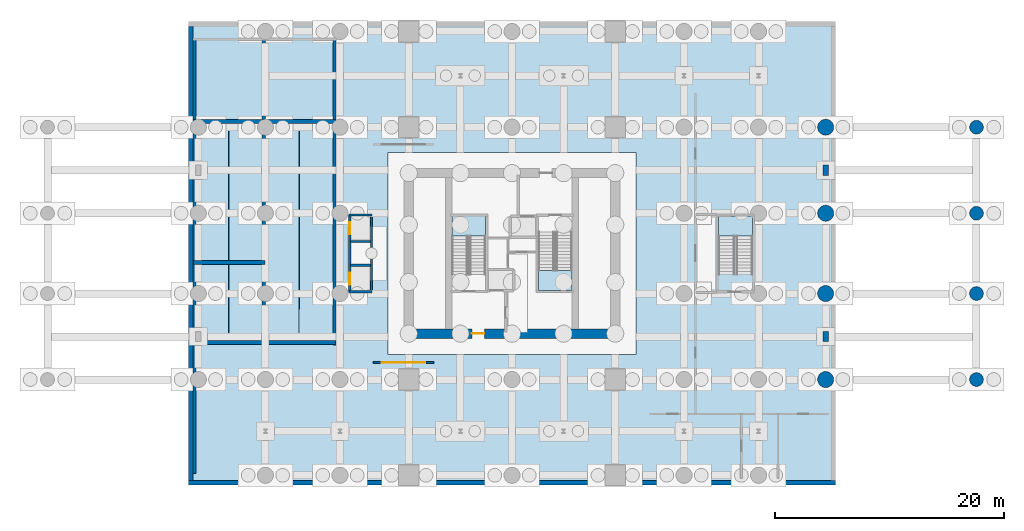
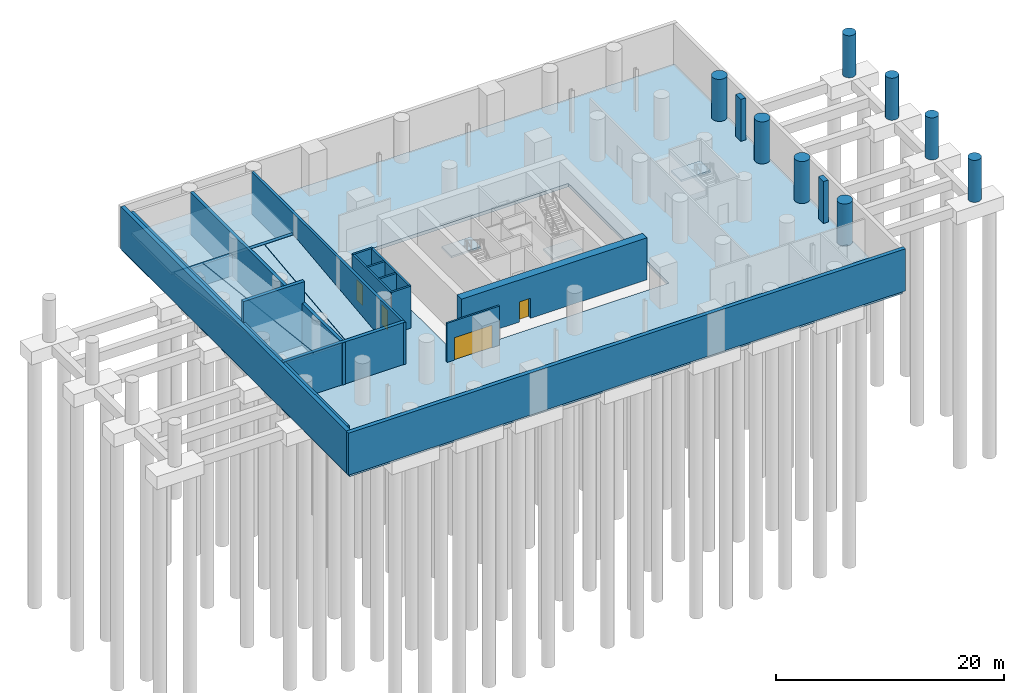
# One storey, part 8 of 12: 16 walls, 10 columns, 9 slabs, 4 doors, 4 openings, 3 elements without a shape of their own.
"""IFC4 building model written with IfcOpenShell, lengths in metres."""

from ifc_helpers import new_model, si_unit, direction, frame, frame_2d, origin, origin_2d, place, context, subcontext, project, spatial, polyline, rectangle, circle, outline, extrude, material, layer, layer_set, material_profile, profile_set, type_object, element, fill, aggregate, save


model = new_model("IFC4")

# Units and contexts
model_context = context("Model", 3, precision=1e-05, world=origin(), true_north=direction((0.0, 1.0)))
body_context = subcontext(model_context, "Body", "Model", "MODEL_VIEW")
ifc_project = project(units=[si_unit("LENGTHUNIT", "METRE"), si_unit("AREAUNIT", "SQUARE_METRE"), si_unit("VOLUMEUNIT", "CUBIC_METRE"), si_unit("PLANEANGLEUNIT", "RADIAN"), si_unit("MASSUNIT", "GRAM", prefix="KILO")], contexts=[model_context])

# Site, building, storey
site_placement = place(None, origin())
site = spatial("IfcSite", under=ifc_project, at=site_placement, CompositionType="ELEMENT")
building_placement = place(site_placement, origin())
building = spatial("IfcBuilding", under=site, at=building_placement, Name="Veldorim Arch Residences", CompositionType="ELEMENT")
storey_placement = place(building_placement, frame((0.0, 0.0, -9.0)))
storey = spatial("IfcBuildingStorey", under=building, at=storey_placement, Name="B2", CompositionType="ELEMENT", Elevation=-9.0)

# Columns
ifc_material_1 = material(Name="Concrete C60/75", Category="concrete")
ifc_material_profile_1 = material_profile(ifc_material_1, circle(Radius=0.60009765625, at=origin_2d()), Name="RC_CIRC_1200")
ifc_profile_set_1 = profile_set([ifc_material_profile_1], Name="Concrete C60/75")
column_type_1 = type_object("IfcColumnType", Name="Structural Column RC_CIRC_1200", PredefinedType="COLUMN", material=ifc_profile_set_1)
for number, where, z_axis, x_axis, name in (
    (1, (72.5, 13.0, 0.0), (0.0, 0.0, 1.0), (1.0, 0.0, 0.0), "B2 porte-cochere canopy column 05"),
    (2, (72.5, 20.5, 0.0), (0.0, 0.0, 1.0), (1.0, 0.0, 0.0), "B2 porte-cochere canopy column 06"),
    (3, (72.5, 27.5, 0.0), (0.0, 0.0, 1.0), (1.0, 0.0, 0.0), "B2 porte-cochere canopy column 07"),
    (4, (72.5, 35.0, 0.0), (0.0, 0.0, 1.0), (1.0, 0.0, 0.0), "B2 porte-cochere canopy column 08"),
):
    element("IfcColumn", number, at=place(storey_placement, frame(where, z_axis=z_axis, x_axis=x_axis)), inside=storey, type_object=column_type_1, Name=name, PredefinedType="COLUMN", context=body_context, shape_type="SweptSolid", body=[
        extrude(circle(Radius=0.60009765625, at=origin_2d()), origin(), (0.0, 0.0, 1.0), 4.5),
    ])
ifc_material_2 = material(Name="Concrete C60/75", Category="concrete")
ifc_material_profile_2 = material_profile(ifc_material_2, circle(Radius=0.699951171875, at=origin_2d()), Name="RC_CIRC_1400")
ifc_profile_set_2 = profile_set([ifc_material_profile_2], Name="Concrete C60/75")
column_type_2 = type_object("IfcColumnType", Name="Structural Column RC_CIRC_1400", PredefinedType="COLUMN", material=ifc_profile_set_2)
for number, where, z_axis, x_axis, name in (
    (5, (59.35009765625, 13.0, 0.0), (0.0, 0.0, 1.0), (1.0, 0.0, 0.0), "B2 podium column (59.35, 13.00)"),
    (6, (59.35009765625, 20.5, 0.0), (0.0, 0.0, 1.0), (1.0, 0.0, 0.0), "B2 podium column (59.35, 20.50)"),
    (7, (59.35009765625, 27.5, 0.0), (0.0, 0.0, 1.0), (1.0, 0.0, 0.0), "B2 podium column (59.35, 27.50)"),
    (8, (59.35009765625, 35.0, 0.0), (0.0, 0.0, 1.0), (1.0, 0.0, 0.0), "B2 podium column (59.35, 35.00)"),
):
    element("IfcColumn", number, at=place(storey_placement, frame(where, z_axis=z_axis, x_axis=x_axis)), inside=storey, type_object=column_type_2, Name=name, PredefinedType="COLUMN", context=body_context, shape_type="SweptSolid", body=[
        extrude(circle(Radius=0.699951171875, at=origin_2d()), origin(), (0.0, 0.0, 1.0), 4.5),
    ])
ifc_material_3 = material(Name="Concrete C60/75", Category="concrete")
ifc_material_profile_3 = material_profile(ifc_material_3, rectangle(XDim=0.5, YDim=0.89990234375, at=origin_2d()), Name="RC_RECT_500x900")
ifc_profile_set_3 = profile_set([ifc_material_profile_3], Name="Concrete C60/75")
column_type_3 = type_object("IfcColumnType", Name="Structural Pilaster RC_RECT_500x900", PredefinedType="PILASTER", material=ifc_profile_set_3)
for number, where, z_axis, x_axis, name in (
    (9, (59.35009765625, 16.75, 0.0), (0.0, 0.0, 1.0), (1.0, 0.0, 0.0), "B2 facade structural pilaster (59.35, 16.75)"),
    (10, (59.35009765625, 31.25, 0.0), (0.0, 0.0, 1.0), (1.0, 0.0, 0.0), "B2 facade structural pilaster (59.35, 31.25)"),
):
    element("IfcColumn", number, at=place(storey_placement, frame(where, z_axis=z_axis, x_axis=x_axis)), inside=storey, type_object=column_type_3, Name=name, PredefinedType="PILASTER", context=body_context, shape_type="SweptSolid", body=[
        extrude(rectangle(XDim=0.5, YDim=0.89990234375, at=origin_2d()), origin(), (0.0, 0.0, 1.0), 4.5),
    ])

# Slab
ifc_material_4 = material(Name="Concrete C50/60", Category="concrete")
ifc_layer_1 = layer(ifc_material_4, 0.35009765625, Name="Basement B2 Base Slab 350")
ifc_layer_set_1 = layer_set([ifc_layer_1], Name="Concrete C50/60")
slab_type_1 = type_object("IfcSlabType", Name="Basement B2 Base Slab 350", PredefinedType="BASESLAB", material=ifc_layer_set_1)
slab_1_placement = place(storey_placement, frame((0.0, 0.0, -0.35009765625)))
element("IfcSlab", 11, at=slab_1_placement, inside=storey, type_object=slab_type_1, Name="B2 basement base slab", PredefinedType="BASESLAB", context=body_context, shape_type="SweptSolid", body=[
    extrude(outline(polyline([(4.0, 4.0), (60.0, 4.0), (60.0, 44.0), (4.0, 44.0), (4.0, 4.0)]), holes=[polyline([(21.199951171875, 15.199951171875), (42.800048828125, 15.199951171875), (42.800048828125, 32.800048828125), (21.199951171875, 32.800048828125), (21.199951171875, 15.199951171875)]), polyline([(10.4599609375, 16.1201171875), (16.43994140625, 16.1201171875), (16.43994140625, 19.10009765625), (10.4599609375, 19.10009765625), (10.4599609375, 16.1201171875)])]), origin(), (0.0, 0.0, 1.0), 0.35009765625),
])

# Stair, slab
ifc_material_5 = material(Name="Concrete C40/50", Category="concrete")
stair_type = type_object("IfcStairType", Name="Reinforced Concrete Dogleg Exit Staircase", PredefinedType="HALF_TURN_STAIR", material=ifc_material_5)
stair_1_placement = place(storey_placement, origin())
stair_1 = element("IfcStair", 12, at=stair_1_placement, inside=storey, type_object=stair_type, Name="B2 Exit Staircase ST-1", PredefinedType="HALF_TURN_STAIR")
ifc_material_6 = material(Name="Concrete C40/50", Category="concrete")
ifc_layer_2 = layer(ifc_material_6, 0.199951171875, Name="Reinforced Concrete Stair Landing 200")
ifc_layer_set_2 = layer_set([ifc_layer_2], Name="Concrete C40/50")
slab_type_2 = type_object("IfcSlabType", Name="Reinforced Concrete Stair Landing 200", PredefinedType="LANDING", material=ifc_layer_set_2)
slab_2_placement = place(storey_placement, frame((0.0, 0.0, 2.050048828125)))
slab_2 = element("IfcSlab", 13, at=slab_2_placement, type_object=slab_type_2, Name="ST-1 landing 1", PredefinedType="LANDING", context=body_context, shape_type="SweptSolid", body=[
    extrude(outline(polyline([(29.7099609375, 25.510009765625), (29.7099609375, 27.25), (26.75, 27.25), (26.75, 25.510009765625), (29.7099609375, 25.510009765625)])), origin(), (0.0, 0.0, 1.0), 0.199951171875),
])
aggregate(stair_1, [slab_2])

stair_2_placement = place(storey_placement, origin())
stair_2 = element("IfcStair", 14, at=stair_2_placement, inside=storey, type_object=stair_type, Name="B2 Exit Staircase ST-2", PredefinedType="HALF_TURN_STAIR")
slab_3_placement = place(storey_placement, frame((0.0, 0.0, 2.050048828125)))
slab_3 = element("IfcSlab", 15, at=slab_3_placement, type_object=slab_type_2, Name="ST-2 landing 1", PredefinedType="LANDING", context=body_context, shape_type="SweptSolid", body=[
    extrude(outline(polyline([(34.2900390625, 22.489990234375), (34.2900390625, 20.75), (37.25, 20.75), (37.25, 22.489990234375), (34.2900390625, 22.489990234375)])), origin(), (0.0, 0.0, 1.0), 0.199951171875),
])
aggregate(stair_2, [slab_3])

stair_3_placement = place(storey_placement, origin())
stair_3 = element("IfcStair", 16, at=stair_3_placement, inside=storey, type_object=stair_type, Name="B2 Exit Staircase ST-3", PredefinedType="HALF_TURN_STAIR")
slab_4_placement = place(storey_placement, frame((0.0, 0.0, 2.050048828125)))
slab_4 = element("IfcSlab", 17, at=slab_4_placement, type_object=slab_type_2, Name="ST-3 landing 1", PredefinedType="LANDING", context=body_context, shape_type="SweptSolid", body=[
    extrude(outline(polyline([(52.9599609375, 25.510009765625), (52.9599609375, 27.25), (50.0, 27.25), (50.0, 25.510009765625), (52.9599609375, 25.510009765625)])), origin(), (0.0, 0.0, 1.0), 0.199951171875),
])
aggregate(stair_3, [slab_4])

# Slabs
ifc_material_7 = material(Name="Concrete C40/50", Category="concrete")
ifc_layer_3 = layer(ifc_material_7, 0.300048828125, Name="Vehicle Ramp Sloped Structural Slab 300")
ifc_layer_set_3 = layer_set([ifc_layer_3], Name="Concrete C40/50")
slab_type_3 = type_object("IfcSlabType", Name="Vehicle Ramp Sloped Structural Slab 300", PredefinedType="FLOOR", material=ifc_layer_set_3)
slab_5_placement = place(storey_placement, frame((10.47998046875, 16.14990234375, 0.0), z_axis=(0.0, -0.115147649658, 0.993348387414), x_axis=(1.0, 0.0, 0.0)))
element("IfcSlab", 18, at=slab_5_placement, inside=storey, type_object=slab_type_3, Name="Car park vehicle ramp R-01 B2 inner flight lane A", PredefinedType="FLOOR", context=body_context, shape_type="SweptSolid", body=[
    extrude(outline(polyline([(0.0, 0.0), (2.9599609375, 0.0), (2.9599609375, 19.54012962212416), (0.0, 19.54012962212416), (0.0, 0.0)])), origin(), (0.0, 0.0, -1.0), 0.300048828125),
])
slab_6_placement = place(storey_placement, frame((13.47998046875, 16.14990234375, 0.0), z_axis=(0.0, -0.115147649658, 0.993348387414), x_axis=(1.0, 0.0, 0.0)))
element("IfcSlab", 19, at=slab_6_placement, inside=storey, type_object=slab_type_3, Name="Car park vehicle ramp R-01 B2 inner flight lane B", PredefinedType="FLOOR", context=body_context, shape_type="SweptSolid", body=[
    extrude(outline(polyline([(0.0, 0.0), (2.93994140625, 0.0), (2.93994140625, 19.54012962212416), (0.0, 19.54012962212416), (0.0, 0.0)])), origin(), (0.0, 0.0, -1.0), 0.300048828125),
])
slab_7_placement = place(storey_placement, frame((4.419921875, 16.14990234375, 4.5), z_axis=(0.0, 0.115147649658, 0.993348387414), x_axis=(1.0, 0.0, 0.0)))
element("IfcSlab", 20, at=slab_7_placement, inside=storey, type_object=slab_type_3, Name="Car park vehicle ramp R-01 B2 outer flight lane A", PredefinedType="FLOOR", context=body_context, shape_type="SweptSolid", body=[
    extrude(outline(polyline([(0.0, 0.0), (2.880126953125, 0.0), (2.880126953125, 19.54012962212416), (0.0, 19.54012962212416), (0.0, 0.0)])), origin(), (0.0, 0.0, -1.0), 0.300048828125),
])
slab_8_placement = place(storey_placement, frame((7.340087890625, 16.14990234375, 4.5), z_axis=(0.0, 0.115147649658, 0.993348387414), x_axis=(1.0, 0.0, 0.0)))
element("IfcSlab", 21, at=slab_8_placement, inside=storey, type_object=slab_type_3, Name="Car park vehicle ramp R-01 B2 outer flight lane B", PredefinedType="FLOOR", context=body_context, shape_type="SweptSolid", body=[
    extrude(outline(polyline([(0.0, 0.0), (2.8798828125, 0.0), (2.8798828125, 19.54012962212416), (0.0, 19.54012962212416), (0.0, 0.0)])), origin(), (0.0, 0.0, -1.0), 0.300048828125),
])
ifc_material_8 = material(Name="Concrete C40/50", Category="concrete")
ifc_layer_4 = layer(ifc_material_8, 0.300048828125, Name="Vehicle Ramp Swept Half-Landing Slab 300")
ifc_layer_set_4 = layer_set([ifc_layer_4], Name="Concrete C40/50")
slab_type_4 = type_object("IfcSlabType", Name="Vehicle Ramp Swept Half-Landing Slab 300", PredefinedType="LANDING", material=ifc_layer_set_4)
slab_9_placement = place(storey_placement, frame((0.0, 0.0, 1.949951171875)))
element("IfcSlab", 22, at=slab_9_placement, inside=storey, type_object=slab_type_4, Name="Car park vehicle ramp R-01 B2 half-landing", PredefinedType="LANDING", context=body_context, shape_type="SweptSolid", body=[
    extrude(outline(polyline([(4.25, 35.6201171875), (16.60009765625, 35.6201171875), (16.60009765625, 42.699951171875), (4.25, 42.699951171875), (4.25, 35.6201171875)])), origin(), (0.0, 0.0, 1.0), 0.300048828125),
])

# Walls
ifc_material_9 = material(Name="Concrete C40/50", Category="concrete")
ifc_layer_5 = layer(ifc_material_9, 0.39990234375, Name="Basement Perimeter Retaining Wall 400")
ifc_layer_set_5 = layer_set([ifc_layer_5], Name="Concrete C40/50")
wall_type_1 = type_object("IfcWallType", Name="Basement Perimeter Retaining Wall 400", PredefinedType="USERDEFINED", material=ifc_layer_set_5)
wall_1_placement = place(storey_placement, frame((3.800048828125, 4.0, 0.0), z_axis=(0.0, 0.0, 1.0), x_axis=(1.0, 0.0, 0.0)))
element("IfcWall", 23, at=wall_1_placement, inside=storey, type_object=wall_type_1, Name="B2 south retaining wall", ObjectType="RETAINING WALL", PredefinedType="USERDEFINED", context=body_context, shape_type="SweptSolid", body=[
    extrude(rectangle(XDim=56.39990234375, YDim=0.39990234375, at=frame_2d((28.199951171875, 0.0))), origin(), (0.0, 0.0, 1.0), 4.5),
])
wall_2_placement = place(storey_placement, frame((4.0, 4.199951171875, 0.0), z_axis=(0.0, 0.0, 1.0), x_axis=(0.0, 1.0, 0.0)))
element("IfcWall", 24, at=wall_2_placement, inside=storey, type_object=wall_type_1, Name="B2 west retaining wall", ObjectType="RETAINING WALL", PredefinedType="USERDEFINED", context=body_context, shape_type="SweptSolid", body=[
    extrude(rectangle(XDim=39.60009765625, YDim=0.39990234375, at=frame_2d((19.800048828125, 0.0))), origin(), (0.0, 0.0, 1.0), 4.5),
])

# Wall, opening, door
ifc_material_10 = material(Name="Lightweight Masonry Block & Gypsum", Category="masonry")
ifc_layer_6 = layer(ifc_material_10, 0.179931640625, Name="Compartment & Corridor Fire-Rated Party Wall 180")
ifc_layer_set_6 = layer_set([ifc_layer_6], Name="Lightweight Masonry Block & Gypsum")
wall_type_2 = type_object("IfcWallType", Name="Compartment & Corridor Fire-Rated Party Wall 180", PredefinedType="PARTITIONING", material=ifc_layer_set_6)
wall_3_placement = place(storey_placement, frame((19.89990234375, 14.5, 0.0), z_axis=(0.0, 0.0, 1.0), x_axis=(1.0, 0.0, 0.0)))
wall_3 = element("IfcWall", 25, at=wall_3_placement, inside=storey, type_object=wall_type_2, Name="B2 interior wall WL-BSM-GATE-B2-1", PredefinedType="PARTITIONING", context=body_context, shape_type="SweptSolid", body=[
    extrude(rectangle(XDim=5.300048828125, YDim=0.179931640625, at=frame_2d((2.64990234375, 0.0))), origin(), (0.0, 0.0, 1.0), 4.195068359375),
])
opening_1_placement = place(wall_3_placement, frame((0.75, 0.0, 0.0)))
opening_1 = element("IfcOpeningElement", 26, at=opening_1_placement, cuts=wall_3, Name="Opening VG-INT", PredefinedType="OPENING", context=body_context, shape_type="SweptSolid", body=[
    extrude(rectangle(XDim=3.800048828125, YDim=2.39990234375, at=frame_2d((1.89990234375, 1.199951171875))), frame((0.0, 0.099853515625, 0.0), z_axis=(0.0, -1.0, 0.0), x_axis=(1.0, 0.0, 0.0)), (0.0, 0.0, 1.0), 0.199951171875),
])
ifc_material_11 = material(Name="Galvanised Fire Steel", Category="steel")
door_type_1 = type_object("IfcDoorType", Name="Basement Zone Fire-Shutter Gate 3800x2400", OperationType="ROLLINGUP", PredefinedType="GATE", material=ifc_material_11)
door_1_placement = place(opening_1_placement, origin())
door_1 = element("IfcDoor", 27, at=door_1_placement, inside=storey, type_object=door_type_1, Name="B2 interior door VG-B2-01", OperationType="ROLLINGUP", OverallHeight=2.39990234375, OverallWidth=3.800048828125, PredefinedType="GATE", context=body_context, shape_type="SweptSolid", body=[
    extrude(rectangle(XDim=3.800048828125, YDim=2.39990234375, at=frame_2d((1.89990234375, 1.199951171875))), frame((0.0, 0.02490234375, 0.0), z_axis=(0.0, -1.0, 0.0), x_axis=(1.0, 0.0, 0.0)), (0.0, 0.0, 1.0), 0.050048828125),
])
fill(opening_1, door_1)

# Wall, openings, doors
ifc_material_12 = material(Name="Concrete C50/60", Category="concrete")
ifc_layer_7 = layer(ifc_material_12, 0.199951171875, Name="Core Stair & Lift Shaft Enclosure Wall 200")
ifc_layer_set_7 = layer_set([ifc_layer_7], Name="Concrete C50/60")
wall_type_3 = type_object("IfcWallType", Name="Core Stair & Lift Shaft Enclosure Wall 200", PredefinedType="SHEAR", material=ifc_layer_set_7)
wall_4_placement = place(storey_placement, frame((17.85009765625, 20.64990234375, 0.0), z_axis=(0.0, 0.0, 1.0), x_axis=(0.0, 1.0, 0.0)))
wall_4 = element("IfcWall", 28, at=wall_4_placement, inside=storey, type_object=wall_type_3, Name="B2 shaft wall WL-SHF-B2-CL-W", PredefinedType="SHEAR", context=body_context, shape_type="SweptSolid", body=[
    extrude(rectangle(XDim=6.7001953125, YDim=0.199951171875, at=frame_2d((3.35009765625, 0.0))), origin(), (0.0, 0.0, 1.0), 4.5),
])
opening_2_placement = place(wall_4_placement, frame((0.625, 0.0, 0.0)))
opening_2 = element("IfcOpeningElement", 29, at=opening_2_placement, cuts=wall_4, Name="Opening LD-PS", PredefinedType="OPENING", context=body_context, shape_type="SweptSolid", body=[
    extrude(rectangle(XDim=1.050048828125, YDim=2.14990234375, at=frame_2d((0.52490234375, 1.074951171875))), frame((0.0, 0.10986328125, 0.0), z_axis=(0.0, -1.0, 0.0), x_axis=(1.0, 0.0, 0.0)), (0.0, 0.0, 1.0), 0.219970703125),
])
opening_3_placement = place(wall_4_placement, frame((5.02490234375, 0.0, 0.0)))
opening_3 = element("IfcOpeningElement", 30, at=opening_3_placement, cuts=wall_4, Name="Opening LD-PS", PredefinedType="OPENING", context=body_context, shape_type="SweptSolid", body=[
    extrude(rectangle(XDim=1.050048828125, YDim=2.14990234375, at=frame_2d((0.52490234375, 1.074951171875))), frame((0.0, 0.10986328125, 0.0), z_axis=(0.0, -1.0, 0.0), x_axis=(1.0, 0.0, 0.0)), (0.0, 0.0, 1.0), 0.219970703125),
])
ifc_material_13 = material(Name="Stainless Steel", Category="steel")
door_type_2 = type_object("IfcDoorType", Name="Passenger Lift Bi-Parting Sliding Landing Door 1050x2150", OperationType="DOUBLE_DOOR_SLIDING", PredefinedType="DOOR", material=ifc_material_13)
door_2_placement = place(opening_2_placement, origin())
door_2 = element("IfcDoor", 31, at=door_2_placement, inside=storey, type_object=door_type_2, Name="B2 lift landing door LD-B2-CL-01", OperationType="DOUBLE_DOOR_SLIDING", OverallHeight=2.14990234375, OverallWidth=1.050048828125, PredefinedType="DOOR", context=body_context, shape_type="SweptSolid", body=[
    extrude(rectangle(XDim=1.050048828125, YDim=2.14990234375, at=frame_2d((0.52490234375, 1.074951171875))), frame((0.0, 0.02490234375, 0.0), z_axis=(0.0, -1.0, 0.0), x_axis=(1.0, 0.0, 0.0)), (0.0, 0.0, 1.0), 0.050048828125),
])
fill(opening_2, door_2)
door_3_placement = place(opening_3_placement, origin())
door_3 = element("IfcDoor", 32, at=door_3_placement, inside=storey, type_object=door_type_2, Name="B2 lift landing door LD-B2-CL-02", OperationType="DOUBLE_DOOR_SLIDING", OverallHeight=2.14990234375, OverallWidth=1.050048828125, PredefinedType="DOOR", context=body_context, shape_type="SweptSolid", body=[
    extrude(rectangle(XDim=1.050048828125, YDim=2.14990234375, at=frame_2d((0.52490234375, 1.074951171875))), frame((0.0, 0.02490234375, 0.0), z_axis=(0.0, -1.0, 0.0), x_axis=(1.0, 0.0, 0.0)), (0.0, 0.0, 1.0), 0.050048828125),
])
fill(opening_3, door_3)

# Walls
wall_5_placement = place(storey_placement, frame((19.75, 20.64990234375, 0.0), z_axis=(0.0, 0.0, 1.0), x_axis=(0.0, 1.0, 0.0)))
element("IfcWall", 33, at=wall_5_placement, inside=storey, type_object=wall_type_3, Name="B2 shaft wall WL-SHF-B2-CL-E", PredefinedType="SHEAR", context=body_context, shape_type="SweptSolid", body=[
    extrude(rectangle(XDim=6.7001953125, YDim=0.199951171875, at=frame_2d((3.35009765625, 0.0))), origin(), (0.0, 0.0, 1.0), 4.5),
])
for number, where, z_axis, x_axis, name in (
    (34, (17.800048828125, 20.64990234375, 0.0), (0.0, 0.0, 1.0), (1.0, 0.0, 0.0), "B2 shaft wall WL-SHF-B2-CL-S"),
    (35, (17.800048828125, 27.35009765625, 0.0), (0.0, 0.0, 1.0), (1.0, 0.0, 0.0), "B2 shaft wall WL-SHF-B2-CL-N"),
):
    element("IfcWall", number, at=place(storey_placement, frame(where, z_axis=z_axis, x_axis=x_axis)), inside=storey, type_object=wall_type_3, Name=name, PredefinedType="SHEAR", context=body_context, shape_type="SweptSolid", body=[
        extrude(rectangle(XDim=2.0, YDim=0.199951171875, at=frame_2d((1.0, 0.0))), origin(), (0.0, 0.0, 1.0), 4.5),
    ])
for number, where, z_axis, x_axis, name in (
    (36, (17.919921875, 22.969970703125, 0.0), (0.0, 0.0, 1.0), (1.0, 0.0, 0.0), "B2 shaft wall WL-SHF-B2-CL-M1"),
    (37, (17.919921875, 25.030029296875, 0.0), (0.0, 0.0, 1.0), (1.0, 0.0, 0.0), "B2 shaft wall WL-SHF-B2-CL-M2"),
):
    element("IfcWall", number, at=place(storey_placement, frame(where, z_axis=z_axis, x_axis=x_axis)), inside=storey, type_object=wall_type_3, Name=name, PredefinedType="SHEAR", context=body_context, shape_type="SweptSolid", body=[
        extrude(rectangle(XDim=1.760009765625, YDim=0.199951171875, at=frame_2d((0.8798828125, 0.0))), origin(), (0.0, 0.0, 1.0), 4.5),
    ])

# Wall, opening, door
ifc_material_14 = material(Name="Concrete C60/75", Category="concrete")
ifc_layer_8 = layer(ifc_material_14, 0.800048828125, Name="Lower Central Core Shear Wall 800")
ifc_layer_set_8 = layer_set([ifc_layer_8], Name="Concrete C60/75")
wall_type_4 = type_object("IfcWallType", Name="Lower Central Core Shear Wall 800", PredefinedType="SHEAR", material=ifc_layer_set_8)
wall_6_placement = place(storey_placement, frame((22.60009765625, 17.0, 0.0), z_axis=(0.0, 0.0, 1.0), x_axis=(1.0, 0.0, 0.0)))
wall_6 = element("IfcWall", 38, at=wall_6_placement, inside=storey, type_object=wall_type_4, Name="B2 central core south shear wall", PredefinedType="SHEAR", context=body_context, shape_type="SweptSolid", body=[
    extrude(rectangle(XDim=18.7998046875, YDim=0.800048828125, at=frame_2d((9.39990234375, 0.0))), origin(), (0.0, 0.0, 1.0), 4.5),
])
opening_4_placement = place(wall_6_placement, frame((5.89990234375, 0.0, 0.0)))
opening_4 = element("IfcOpeningElement", 39, at=opening_4_placement, cuts=wall_6, Name="Opening DR-FFL", PredefinedType="OPENING", context=body_context, shape_type="SweptSolid", body=[
    extrude(rectangle(XDim=1.10009765625, YDim=2.14990234375, at=frame_2d((0.550048828125, 1.074951171875))), frame((0.0, 0.409912109375, 0.0), z_axis=(0.0, -1.0, 0.0), x_axis=(1.0, 0.0, 0.0)), (0.0, 0.0, 1.0), 0.820068359375),
])
ifc_material_15 = material(Name="Fire-Rated Steel & Vision Glass", Category="steel")
door_type_3 = type_object("IfcDoorType", Name="Firefighting Lobby Smoke-Stop Fire Door 1100x2150", OperationType="SINGLE_SWING_LEFT", PredefinedType="DOOR", material=ifc_material_15)
door_4_placement = place(opening_4_placement, origin())
door_4 = element("IfcDoor", 40, at=door_4_placement, inside=storey, type_object=door_type_3, Name="B2 interior door DR-B2-FFL1", OperationType="SINGLE_SWING_RIGHT", OverallHeight=2.14990234375, OverallWidth=1.10009765625, PredefinedType="DOOR", context=body_context, shape_type="SweptSolid", body=[
    extrude(rectangle(XDim=1.10009765625, YDim=2.14990234375, at=frame_2d((0.550048828125, 1.074951171875))), frame((0.0, 0.02490234375, 0.0), z_axis=(0.0, -1.0, 0.0), x_axis=(1.0, 0.0, 0.0)), (0.0, 0.0, 1.0), 0.050048828125),
])
fill(opening_4, door_4)

# Walls
ifc_material_16 = material(Name="Concrete C50/60", Category="concrete")
ifc_layer_9 = layer(ifc_material_16, 0.25, Name="Vehicle Ramp Structural Enclosure Wall 250")
ifc_layer_set_9 = layer_set([ifc_layer_9], Name="Concrete C50/60")
wall_type_5 = type_object("IfcWallType", Name="Vehicle Ramp Structural Enclosure Wall 250", PredefinedType="SHEAR", material=ifc_layer_set_9)
wall_7_placement = place(storey_placement, frame((4.324951171875, 4.800048828125, 0.0), z_axis=(0.0, 0.0, 1.0), x_axis=(0.0, 1.0, 0.0)))
element("IfcWall", 41, at=wall_7_placement, inside=storey, type_object=wall_type_5, Name="B2 ramp west support wall", PredefinedType="SHEAR", context=body_context, shape_type="SweptSolid", body=[
    extrude(rectangle(XDim=37.89990234375, YDim=0.25, at=frame_2d((18.949951171875, 0.0))), origin(), (0.0, 0.0, 1.0), 4.5),
])
wall_8_placement = place(storey_placement, frame((10.35009765625, 16.0, 0.0), z_axis=(0.0, 0.0, 1.0), x_axis=(0.0, 1.0, 0.0)))
element("IfcWall", 42, at=wall_8_placement, inside=storey, type_object=wall_type_5, Name="B2 ramp median support wall", PredefinedType="SHEAR", context=body_context, shape_type="SweptSolid", body=[
    extrude(rectangle(XDim=26.699951171875, YDim=0.300048828125, at=frame_2d((13.35009765625, 0.0))), origin(), (0.0, 0.0, 1.0), 4.5),
])
wall_9_placement = place(storey_placement, frame((16.52490234375, 16.0, 0.0), z_axis=(0.0, 0.0, 1.0), x_axis=(0.0, 1.0, 0.0)))
element("IfcWall", 43, at=wall_9_placement, inside=storey, type_object=wall_type_5, Name="B2 ramp east shaft wall", PredefinedType="SHEAR", context=body_context, shape_type="SweptSolid", body=[
    extrude(rectangle(XDim=26.699951171875, YDim=0.25, at=frame_2d((13.35009765625, 0.0))), origin(), (0.0, 0.0, 1.0), 4.5),
])
wall_10_placement = place(storey_placement, frame((4.25, 35.47998046875, 0.0), z_axis=(0.0, 0.0, 1.0), x_axis=(1.0, 0.0, 0.0)))
element("IfcWall", 44, at=wall_10_placement, inside=storey, type_object=wall_type_5, Name="B2 ramp half-landing transverse support wall", PredefinedType="SHEAR", context=body_context, shape_type="SweptSolid", body=[
    extrude(rectangle(XDim=12.35009765625, YDim=0.35009765625, at=frame_2d((6.175048828125, 0.0))), origin(), (0.0, 0.0, 1.0), 2.25),
])
wall_11_placement = place(storey_placement, frame((4.25, 23.219970703125, 0.0), z_axis=(0.0, 0.0, 1.0), x_axis=(1.0, 0.0, 0.0)))
element("IfcWall", 45, at=wall_11_placement, inside=storey, type_object=wall_type_5, Name="B1 approach deck transverse support wall", PredefinedType="SHEAR", context=body_context, shape_type="SweptSolid", body=[
    extrude(rectangle(XDim=6.199951171875, YDim=0.35009765625, at=frame_2d((3.10009765625, 0.0))), origin(), (0.0, 0.0, 1.0), 6.75),
])
wall_12_placement = place(storey_placement, frame((4.25, 16.219970703125, 0.0), z_axis=(0.0, 0.0, 1.0), x_axis=(1.0, 0.0, 0.0)))
element("IfcWall", 46, at=wall_12_placement, inside=storey, type_object=wall_type_5, Name="B2 ramp south sill transverse support wall", PredefinedType="SHEAR", context=body_context, shape_type="SweptSolid", body=[
    extrude(rectangle(XDim=12.35009765625, YDim=0.35009765625, at=frame_2d((6.175048828125, 0.0))), origin(), (0.0, 0.0, 1.0), 4.5),
])

save(model, "model.ifc")
